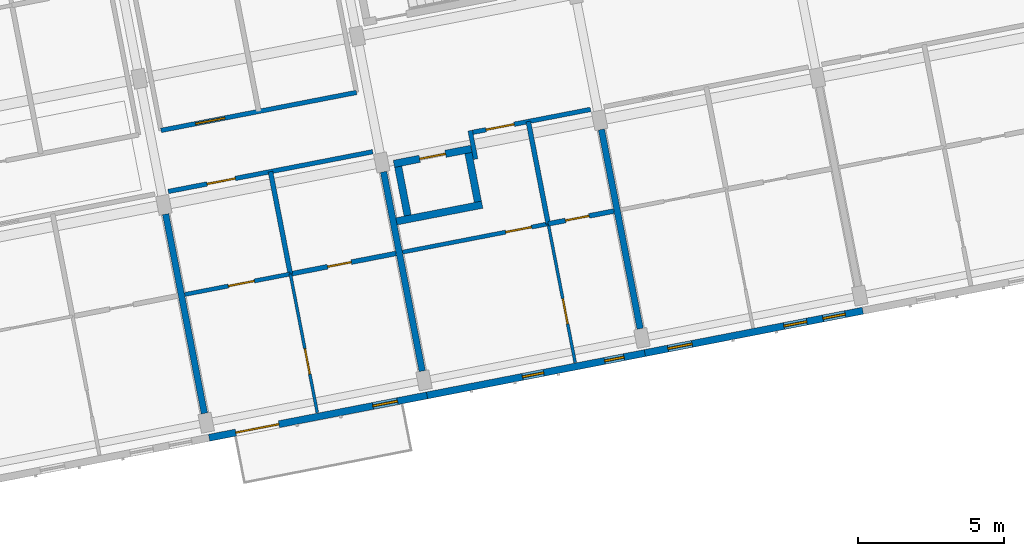
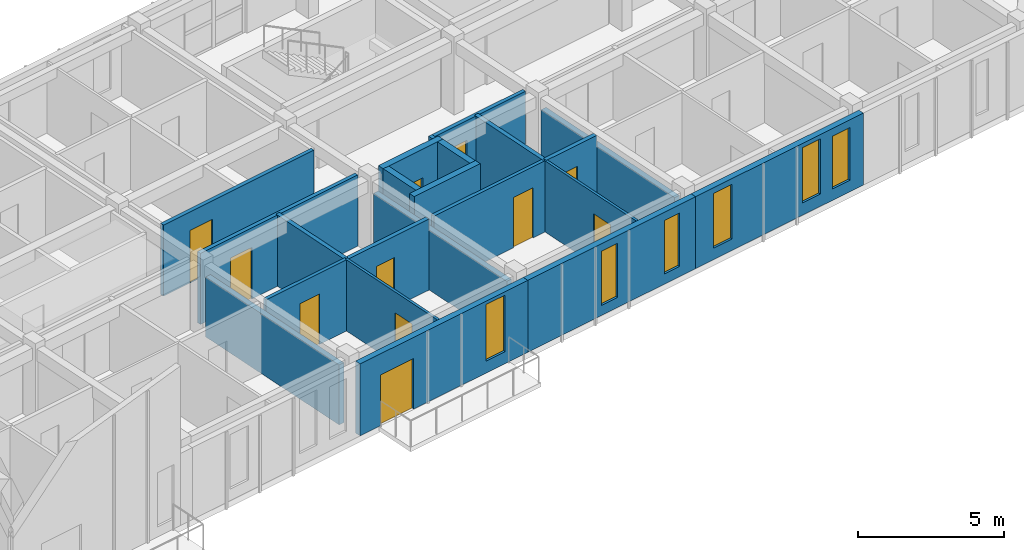
# One storey, part 33 of 65: 22 walls, 11 doors, 6 windows, 17 openings.
"""IFC4 building model written with IfcOpenShell, lengths in metres."""

from ifc_helpers import new_model, si_unit, direction, frame, frame_2d, origin, place, context, subcontext, project, spatial, rectangle, extrude, material, layer, layer_set, type_object, element, fill, save


model = new_model("IFC4")

# Units and contexts
model_context = context("Model", 3, precision=1e-05, world=origin(), true_north=direction((0.0, 1.0)))
body_context = subcontext(model_context, "Body", "Model", "MODEL_VIEW")
ifc_project = project(units=[si_unit("LENGTHUNIT", "METRE"), si_unit("AREAUNIT", "SQUARE_METRE"), si_unit("VOLUMEUNIT", "CUBIC_METRE"), si_unit("PLANEANGLEUNIT", "RADIAN"), si_unit("MASSUNIT", "GRAM", prefix="KILO")], contexts=[model_context])

# Site, building, storey
site_placement = place(None, origin())
site = spatial("IfcSite", under=ifc_project, at=site_placement, CompositionType="ELEMENT")
building_placement = place(site_placement, origin())
building = spatial("IfcBuilding", under=site, at=building_placement, Name="Kestramere Prow Commons", CompositionType="ELEMENT")
storey_placement = place(building_placement, frame((0.0, 0.0, 21.39990234375)))
storey = spatial("IfcBuildingStorey", under=building, at=storey_placement, Name="L06", CompositionType="ELEMENT", Elevation=21.39990234375)

# Wall, openings, door, window
ifc_material_1 = material(Name="Fluoropolymer Standing-Seam Zinc-Aluminium Cladding", Category="aluminium")
ifc_layer_1 = layer(ifc_material_1, 0.239990234375)
ifc_layer_set_1 = layer_set([ifc_layer_1], Name="Fluoropolymer Standing-Seam Zinc-Aluminium Cladding")
wall_type_1 = type_object("IfcWallType", Name="EW-SEAM-240", PredefinedType="SOLIDWALL", material=ifc_layer_set_1)
wall_1_placement = place(storey_placement, frame((140.88134765625, 37.835205078125, 0.0), z_axis=(0.0, 0.0, 1.0), x_axis=(-0.981626422232, -0.190812911449, 0.0)))
wall_1 = element("IfcWall", 1, at=wall_1_placement, inside=storey, type_object=wall_type_1, Name="Block D L06 South Standing-Seam Wall 3", PredefinedType="SOLIDWALL", context=body_context, shape_type="SweptSolid", body=[
    extrude(rectangle(XDim=7.60009765625, YDim=0.239990234375, at=frame_2d((3.800048828125, 0.0))), origin(), (0.0, 0.0, 1.0), 3.0),
])
opening_1_placement = place(wall_1_placement, frame((5.1689453125, 0.0, 0.0)))
opening_1 = element("IfcOpeningElement", 2, at=opening_1_placement, cuts=wall_1, Name="Opening GD-BAL-01", PredefinedType="OPENING", context=body_context, shape_type="SweptSolid", body=[
    extrude(rectangle(XDim=1.5, YDim=2.1201171875, at=frame_2d((0.75, 1.06005859375))), frame((0.0, 0.135009765625, 0.0), z_axis=(0.0, -1.0, 0.0), x_axis=(1.0, 0.0, 0.0)), (0.0, 0.0, 1.0), 0.27001953125),
])
opening_2_placement = place(wall_1_placement, frame((1.030029296875, 0.0, 0.5)))
opening_2 = element("IfcOpeningElement", 3, at=opening_2_placement, cuts=wall_1, Name="Opening WN-15", PredefinedType="OPENING", context=body_context, shape_type="SweptSolid", body=[
    extrude(rectangle(XDim=0.860107421875, YDim=2.360107421875, at=frame_2d((0.43017578125, 1.18017578125))), frame((0.0, 0.135009765625, 0.0), z_axis=(0.0, -1.0, 0.0), x_axis=(1.0, 0.0, 0.0)), (0.0, 0.0, 1.0), 0.27001953125),
])
ifc_material_2 = material(Name="Thermally-Broken Anodised Aluminium Glazed", Category="aluminium")
door_type_1 = type_object("IfcDoorType", Name="GD-BAL-1500", OperationType="SLIDING_TO_RIGHT", PredefinedType="DOOR", material=ifc_material_2)
door_1_placement = place(opening_1_placement, origin())
door_1 = element("IfcDoor", 4, at=door_1_placement, inside=storey, type_object=door_type_1, Name="Block D L06 Balcony Door 3", OperationType="SLIDING_TO_RIGHT", OverallHeight=2.1201171875, OverallWidth=1.5, PredefinedType="DOOR", context=body_context, shape_type="SweptSolid", body=[
    extrude(rectangle(XDim=1.5, YDim=2.1201171875, at=frame_2d((0.75, 1.06005859375))), frame((0.0, 0.02490234375, 0.0), z_axis=(0.0, -1.0, 0.0), x_axis=(1.0, 0.0, 0.0)), (0.0, 0.0, 1.0), 0.050048828125),
])
fill(opening_1, door_1)
ifc_material_3 = material(Name="Low-E Laminated Double Glazing", Category="glass")
window_type_1 = type_object("IfcWindowType", Name="WN-NAR-860A", PartitioningType="DOUBLE_PANEL_VERTICAL", PredefinedType="WINDOW", material=ifc_material_3)
window_1_placement = place(opening_2_placement, origin())
window_1 = element("IfcWindow", 5, at=window_1_placement, inside=storey, type_object=window_type_1, Name="WN-D-L06-SR-2", OverallHeight=2.360107421875, OverallWidth=0.860107421875, PartitioningType="SINGLE_PANEL", PredefinedType="WINDOW", context=body_context, shape_type="SweptSolid", body=[
    extrude(rectangle(XDim=0.860107421875, YDim=2.360107421875, at=frame_2d((0.43017578125, 1.18017578125))), frame((0.0, 0.030029296875, 0.0), z_axis=(0.0, -1.0, 0.0), x_axis=(1.0, 0.0, 0.0)), (0.0, 0.0, 1.0), 0.06005859375),
])
fill(opening_2, window_1)

# Wall, openings, windows
wall_2_placement = place(storey_placement, frame((148.341552734375, 39.28515625, 0.0), z_axis=(0.0, 0.0, 1.0), x_axis=(-0.981631269434, -0.190787973596, 0.0)))
wall_2 = element("IfcWall", 6, at=wall_2_placement, inside=storey, type_object=wall_type_1, Name="Block D L06 South Standing-Seam Wall 4", PredefinedType="SOLIDWALL", context=body_context, shape_type="SweptSolid", body=[
    extrude(rectangle(XDim=7.599853515625, YDim=0.239990234375, at=frame_2d((3.7998046875, 0.0))), origin(), (0.0, 0.0, 1.0), 3.0),
])
opening_3_placement = place(wall_2_placement, frame((0.726318359375, 0.0, 0.419921875)))
opening_3 = element("IfcOpeningElement", 7, at=opening_3_placement, cuts=wall_2, Name="Opening WN-06", PredefinedType="OPENING", context=body_context, shape_type="SweptSolid", body=[
    extrude(rectangle(XDim=0.679931640625, YDim=2.239990234375, at=frame_2d((0.33984375, 1.1201171875))), frame((0.0, 0.135009765625, 0.0), z_axis=(0.0, -1.0, 0.0), x_axis=(1.0, 0.0, 0.0)), (0.0, 0.0, 1.0), 0.27001953125),
])
opening_4_placement = place(wall_2_placement, frame((3.53076171875, 0.0, 0.419921875)))
opening_4 = element("IfcOpeningElement", 8, at=opening_4_placement, cuts=wall_2, Name="Opening WN-09", PredefinedType="OPENING", context=body_context, shape_type="SweptSolid", body=[
    extrude(rectangle(XDim=0.739990234375, YDim=2.260009765625, at=frame_2d((0.3701171875, 1.1298828125))), frame((0.0, 0.135009765625, 0.0), z_axis=(0.0, -1.0, 0.0), x_axis=(1.0, 0.0, 0.0)), (0.0, 0.0, 1.0), 0.27001953125),
])
window_type_2 = type_object("IfcWindowType", Name="WN-NAR-680A", PartitioningType="SINGLE_PANEL", PredefinedType="WINDOW", material=ifc_material_3)
window_2_placement = place(opening_3_placement, origin())
window_2 = element("IfcWindow", 9, at=window_2_placement, inside=storey, type_object=window_type_2, Name="WN-D-L06-S-3-00", OverallHeight=2.239990234375, OverallWidth=0.679931640625, PartitioningType="SINGLE_PANEL", PredefinedType="WINDOW", context=body_context, shape_type="SweptSolid", body=[
    extrude(rectangle(XDim=0.679931640625, YDim=2.239990234375, at=frame_2d((0.33984375, 1.1201171875))), frame((0.0, 0.030029296875, 0.0), z_axis=(0.0, -1.0, 0.0), x_axis=(1.0, 0.0, 0.0)), (0.0, 0.0, 1.0), 0.06005859375),
])
fill(opening_3, window_2)
window_type_3 = type_object("IfcWindowType", Name="WN-NAR-740A", PartitioningType="SINGLE_PANEL", PredefinedType="WINDOW", material=ifc_material_3)
window_3_placement = place(opening_4_placement, origin())
window_3 = element("IfcWindow", 10, at=window_3_placement, inside=storey, type_object=window_type_3, Name="WN-D-L06-S-3-10", OverallHeight=2.260009765625, OverallWidth=0.739990234375, PartitioningType="SINGLE_PANEL", PredefinedType="WINDOW", context=body_context, shape_type="SweptSolid", body=[
    extrude(rectangle(XDim=0.739990234375, YDim=2.260009765625, at=frame_2d((0.3701171875, 1.1298828125))), frame((0.0, 0.030029296875, 0.0), z_axis=(0.0, -1.0, 0.0), x_axis=(1.0, 0.0, 0.0)), (0.0, 0.0, 1.0), 0.06005859375),
])
fill(opening_4, window_3)

wall_3_placement = place(storey_placement, frame((155.802001953125, 40.7353515625, 0.0), z_axis=(0.0, 0.0, 1.0), x_axis=(-0.981626422232, -0.190812911449, 0.0)))
wall_3 = element("IfcWall", 11, at=wall_3_placement, inside=storey, type_object=wall_type_1, Name="Block D L06 South Standing-Seam Wall 5", PredefinedType="SOLIDWALL", context=body_context, shape_type="SweptSolid", body=[
    extrude(rectangle(XDim=7.60009765625, YDim=0.239990234375, at=frame_2d((3.800048828125, 0.0))), origin(), (0.0, 0.0, 1.0), 3.0),
])
opening_5_placement = place(wall_3_placement, frame((0.610107421875, 0.0, 0.47998046875)))
opening_5 = element("IfcOpeningElement", 12, at=opening_5_placement, cuts=wall_3, Name="Opening WN-11", PredefinedType="OPENING", context=body_context, shape_type="SweptSolid", body=[
    extrude(rectangle(XDim=0.780029296875, YDim=2.199951171875, at=frame_2d((0.39013671875, 1.10009765625))), frame((0.0, 0.135009765625, 0.0), z_axis=(0.0, -1.0, 0.0), x_axis=(1.0, 0.0, 0.0)), (0.0, 0.0, 1.0), 0.27001953125),
])
opening_6_placement = place(wall_3_placement, frame((1.951904296875, 0.0, 0.52001953125)))
opening_6 = element("IfcOpeningElement", 13, at=opening_6_placement, cuts=wall_3, Name="Opening WN-12", PredefinedType="OPENING", context=body_context, shape_type="SweptSolid", body=[
    extrude(rectangle(XDim=0.800048828125, YDim=2.300048828125, at=frame_2d((0.39990234375, 1.14990234375))), frame((0.0, 0.135009765625, 0.0), z_axis=(0.0, -1.0, 0.0), x_axis=(1.0, 0.0, 0.0)), (0.0, 0.0, 1.0), 0.27001953125),
])
opening_7_placement = place(wall_3_placement, frame((5.9541015625, 0.0, 0.47998046875)))
opening_7 = element("IfcOpeningElement", 14, at=opening_7_placement, cuts=wall_3, Name="Opening WN-14", PredefinedType="OPENING", context=body_context, shape_type="SweptSolid", body=[
    extrude(rectangle(XDim=0.840087890625, YDim=2.280029296875, at=frame_2d((0.419921875, 1.14013671875))), frame((0.0, 0.135009765625, 0.0), z_axis=(0.0, -1.0, 0.0), x_axis=(1.0, 0.0, 0.0)), (0.0, 0.0, 1.0), 0.27001953125),
])
window_type_4 = type_object("IfcWindowType", Name="WN-NAR-780A", PartitioningType="SINGLE_PANEL", PredefinedType="WINDOW", material=ifc_material_3)
window_4_placement = place(opening_5_placement, origin())
window_4 = element("IfcWindow", 15, at=window_4_placement, inside=storey, type_object=window_type_4, Name="WN-D-L06-S-4-00", OverallHeight=2.199951171875, OverallWidth=0.780029296875, PartitioningType="SINGLE_PANEL", PredefinedType="WINDOW", context=body_context, shape_type="SweptSolid", body=[
    extrude(rectangle(XDim=0.780029296875, YDim=2.199951171875, at=frame_2d((0.39013671875, 1.10009765625))), frame((0.0, 0.030029296875, 0.0), z_axis=(0.0, -1.0, 0.0), x_axis=(1.0, 0.0, 0.0)), (0.0, 0.0, 1.0), 0.06005859375),
])
fill(opening_5, window_4)
window_type_5 = type_object("IfcWindowType", Name="WN-NAR-800A", PartitioningType="SINGLE_PANEL", PredefinedType="WINDOW", material=ifc_material_3)
window_5_placement = place(opening_6_placement, origin())
window_5 = element("IfcWindow", 16, at=window_5_placement, inside=storey, type_object=window_type_5, Name="WN-D-L06-S-4-01", OverallHeight=2.300048828125, OverallWidth=0.800048828125, PartitioningType="SINGLE_PANEL", PredefinedType="WINDOW", context=body_context, shape_type="SweptSolid", body=[
    extrude(rectangle(XDim=0.800048828125, YDim=2.300048828125, at=frame_2d((0.39990234375, 1.14990234375))), frame((0.0, 0.030029296875, 0.0), z_axis=(0.0, -1.0, 0.0), x_axis=(1.0, 0.0, 0.0)), (0.0, 0.0, 1.0), 0.06005859375),
])
fill(opening_6, window_5)
window_type_6 = type_object("IfcWindowType", Name="WN-NAR-840A", PartitioningType="DOUBLE_PANEL_VERTICAL", PredefinedType="WINDOW", material=ifc_material_3)
window_6_placement = place(opening_7_placement, origin())
window_6 = element("IfcWindow", 17, at=window_6_placement, inside=storey, type_object=window_type_6, Name="WN-D-L06-S-4-10", OverallHeight=2.280029296875, OverallWidth=0.840087890625, PartitioningType="SINGLE_PANEL", PredefinedType="WINDOW", context=body_context, shape_type="SweptSolid", body=[
    extrude(rectangle(XDim=0.840087890625, YDim=2.280029296875, at=frame_2d((0.419921875, 1.14013671875))), frame((0.0, 0.030029296875, 0.0), z_axis=(0.0, -1.0, 0.0), x_axis=(1.0, 0.0, 0.0)), (0.0, 0.0, 1.0), 0.06005859375),
])
fill(opening_7, window_6)

# Wall, opening, door
ifc_material_4 = material(Name="Fire-Rated Calcium Silicate Wall")
ifc_layer_2 = layer(ifc_material_4, 0.155029296875)
ifc_layer_set_2 = layer_set([ifc_layer_2], Name="Fire-Rated Calcium Silicate Wall")
wall_type_2 = type_object("IfcWallType", Name="W-FIRE-150", PredefinedType="PARTITIONING", material=ifc_layer_set_2)
wall_4_placement = place(storey_placement, frame((132.021240234375, 44.81787109375, 0.0), z_axis=(0.0, 0.0, 1.0), x_axis=(0.981629109582, 0.190799086008, 0.0)))
wall_4 = element("IfcWall", 18, at=wall_4_placement, inside=storey, type_object=wall_type_2, Name="Interior Partition PW-D-L06-CS-2", PredefinedType="PARTITIONING", context=body_context, shape_type="SweptSolid", body=[
    extrude(rectangle(XDim=7.129638671875, YDim=0.155029296875, at=frame_2d((3.56494140625, 0.0))), origin(), (0.0, 0.0, 1.0), 2.97021484375),
])
opening_8_placement = place(wall_4_placement, frame((1.35498046875, 0.0, 0.0)))
opening_8 = element("IfcOpeningElement", 19, at=opening_8_placement, cuts=wall_4, Name="Opening ID-04", PredefinedType="OPENING", context=body_context, shape_type="SweptSolid", body=[
    extrude(rectangle(XDim=0.97998046875, YDim=2.14990234375, at=frame_2d((0.489990234375, 1.074951171875))), frame((0.0, 0.092529296875, 0.0), z_axis=(0.0, -1.0, 0.0), x_axis=(1.0, 0.0, 0.0)), (0.0, 0.0, 1.0), 0.18505859375),
])
ifc_material_5 = material(Name="Hardwood Fire-Rated Flat Entrance Door", Category="wood")
door_type_2 = type_object("IfcDoorType", Name="FD-ENT-01", OperationType="NOTDEFINED", PredefinedType="DOOR", material=ifc_material_5)
door_2_placement = place(opening_8_placement, origin())
door_2 = element("IfcDoor", 20, at=door_2_placement, inside=storey, type_object=door_type_2, Name="Interior Door DR-D-L06-ENT-S2", OperationType="SINGLE_SWING_LEFT", OverallHeight=2.14990234375, OverallWidth=0.97998046875, PredefinedType="DOOR", context=body_context, shape_type="SweptSolid", body=[
    extrude(rectangle(XDim=0.97998046875, YDim=2.14990234375, at=frame_2d((0.489990234375, 1.074951171875))), frame((0.0, 0.02490234375, 0.0), z_axis=(0.0, -1.0, 0.0), x_axis=(1.0, 0.0, 0.0)), (0.0, 0.0, 1.0), 0.050048828125),
])
fill(opening_8, door_2)

# Wall
wall_5_placement = place(storey_placement, frame((142.5478515625, 45.9267578125, 0.0), z_axis=(0.0, 0.0, 1.0), x_axis=(-0.190639805817, 0.981660055436, 0.0)))
element("IfcWall", 21, at=wall_5_placement, inside=storey, type_object=wall_type_2, Name="Interior Partition PW-D-L06-HS-CLOSER", PredefinedType="PARTITIONING", context=body_context, shape_type="SweptSolid", body=[
    extrude(rectangle(XDim=0.9951171875, YDim=0.155029296875, at=frame_2d((0.49755859375, 0.0))), origin(), (0.0, 0.0, 1.0), 2.97021484375),
])

# Wall, opening, door
wall_6_placement = place(storey_placement, frame((142.450927734375, 46.84521484375, 0.0), z_axis=(0.0, 0.0, 1.0), x_axis=(0.981629934904, 0.190794839817, 0.0)))
wall_6 = element("IfcWall", 22, at=wall_6_placement, inside=storey, type_object=wall_type_2, Name="Interior Partition PW-D-L06-CS-3", PredefinedType="PARTITIONING", context=body_context, shape_type="SweptSolid", body=[
    extrude(rectangle(XDim=4.10498046875, YDim=0.155029296875, at=frame_2d((2.052490234375, 0.0))), origin(), (0.0, 0.0, 1.0), 2.97021484375),
])
opening_9_placement = place(wall_6_placement, frame((0.4580078125, 0.0, 0.0)))
opening_9 = element("IfcOpeningElement", 23, at=opening_9_placement, cuts=wall_6, Name="Opening ID-04", PredefinedType="OPENING", context=body_context, shape_type="SweptSolid", body=[
    extrude(rectangle(XDim=0.97998046875, YDim=2.14990234375, at=frame_2d((0.489990234375, 1.074951171875))), frame((0.0, 0.092529296875, 0.0), z_axis=(0.0, -1.0, 0.0), x_axis=(1.0, 0.0, 0.0)), (0.0, 0.0, 1.0), 0.18505859375),
])
door_3_placement = place(opening_9_placement, origin())
door_3 = element("IfcDoor", 24, at=door_3_placement, inside=storey, type_object=door_type_2, Name="Interior Door DR-D-L06-ENT-S3", OperationType="SINGLE_SWING_RIGHT", OverallHeight=2.14990234375, OverallWidth=0.97998046875, PredefinedType="DOOR", context=body_context, shape_type="SweptSolid", body=[
    extrude(rectangle(XDim=0.97998046875, YDim=2.14990234375, at=frame_2d((0.489990234375, 1.074951171875))), frame((0.0, 0.02490234375, 0.0), z_axis=(0.0, -1.0, 0.0), x_axis=(1.0, 0.0, 0.0)), (0.0, 0.0, 1.0), 0.050048828125),
])
fill(opening_9, door_3)

wall_7_placement = place(storey_placement, frame((131.7724609375, 46.90869140625, 0.0), z_axis=(0.0, 0.0, 1.0), x_axis=(0.981622468528, 0.190833249935, 0.0)))
wall_7 = element("IfcWall", 25, at=wall_7_placement, inside=storey, type_object=wall_type_2, Name="Interior Partition PW-D-L06-CN-2", PredefinedType="PARTITIONING", context=body_context, shape_type="SweptSolid", body=[
    extrude(rectangle(XDim=6.820068359375, YDim=0.155029296875, at=frame_2d((3.41015625, 0.0))), origin(), (0.0, 0.0, 1.0), 2.97021484375),
])
opening_10_placement = place(wall_7_placement, frame((1.205078125, 0.0, 0.0)))
opening_10 = element("IfcOpeningElement", 26, at=opening_10_placement, cuts=wall_7, Name="Opening ID-05", PredefinedType="OPENING", context=body_context, shape_type="SweptSolid", body=[
    extrude(rectangle(XDim=1.02001953125, YDim=2.199951171875, at=frame_2d((0.510009765625, 1.10009765625))), frame((0.0, 0.092529296875, 0.0), z_axis=(0.0, -1.0, 0.0), x_axis=(1.0, 0.0, 0.0)), (0.0, 0.0, 1.0), 0.18505859375),
])
door_type_3 = type_object("IfcDoorType", Name="FD-ENT-02", OperationType="NOTDEFINED", PredefinedType="DOOR", material=ifc_material_5)
door_4_placement = place(opening_10_placement, origin())
door_4 = element("IfcDoor", 27, at=door_4_placement, inside=storey, type_object=door_type_3, Name="Interior Door DR-D-L06-ENT-N2", OperationType="SINGLE_SWING_RIGHT", OverallHeight=2.199951171875, OverallWidth=1.02001953125, PredefinedType="DOOR", context=body_context, shape_type="SweptSolid", body=[
    extrude(rectangle(XDim=1.02001953125, YDim=2.199951171875, at=frame_2d((0.510009765625, 1.10009765625))), frame((0.0, 0.02490234375, 0.0), z_axis=(0.0, -1.0, 0.0), x_axis=(1.0, 0.0, 0.0)), (0.0, 0.0, 1.0), 0.050048828125),
])
fill(opening_10, door_4)

# Wall
ifc_material_6 = material(Name="Concrete C40/50", Category="concrete")
ifc_layer_3 = layer(ifc_material_6, 0.25)
ifc_layer_set_3 = layer_set([ifc_layer_3], Name="Concrete C40/50")
wall_type_3 = type_object("IfcWallType", Name="W-HS-250", PredefinedType="SHEAR", material=ifc_layer_set_3)
wall_8_placement = place(storey_placement, frame((139.8349609375, 43.794921875, 0.0), z_axis=(0.0, 0.0, 1.0), x_axis=(0.981624737535, 0.190821578075, 0.0)))
element("IfcWall", 28, at=wall_8_placement, inside=storey, type_object=wall_type_3, Name="Block D L06 Household Shelter South Wall", PredefinedType="SHEAR", context=body_context, shape_type="SweptSolid", body=[
    extrude(rectangle(XDim=2.989990234375, YDim=0.25, at=frame_2d((1.4951171875, 0.0))), origin(), (0.0, 0.0, 1.0), 3.25),
])

# Wall, opening, door
wall_9_placement = place(storey_placement, frame((139.74755859375, 45.764404296875, 0.0), z_axis=(0.0, 0.0, 1.0), x_axis=(0.981630445883, 0.190792210834, 0.0)))
wall_9 = element("IfcWall", 29, at=wall_9_placement, inside=storey, type_object=wall_type_3, Name="Block D L06 Household Shelter North Wall", PredefinedType="SHEAR", context=body_context, shape_type="SweptSolid", body=[
    extrude(rectangle(XDim=2.699951171875, YDim=0.25, at=frame_2d((1.35009765625, 0.0))), origin(), (0.0, 0.0, 1.0), 3.25),
])
opening_11_placement = place(wall_9_placement, frame((0.89990234375, 0.0, 0.0)))
opening_11 = element("IfcOpeningElement", 30, at=opening_11_placement, cuts=wall_9, Name="Opening ID-06", PredefinedType="OPENING", context=body_context, shape_type="SweptSolid", body=[
    extrude(rectangle(XDim=0.89990234375, YDim=2.050048828125, at=frame_2d((0.449951171875, 1.02490234375))), frame((0.0, 0.139892578125, 0.0), z_axis=(0.0, -1.0, 0.0), x_axis=(1.0, 0.0, 0.0)), (0.0, 0.0, 1.0), 0.280029296875),
])
ifc_material_7 = material(Name="Galvanised Steel S275JR Household Shelter Door", Category="steel")
door_type_4 = type_object("IfcDoorType", Name="FD-HS-01", OperationType="NOTDEFINED", PredefinedType="DOOR", material=ifc_material_7)
door_5_placement = place(opening_11_placement, origin())
door_5 = element("IfcDoor", 31, at=door_5_placement, inside=storey, type_object=door_type_4, Name="Block D L06 Household Shelter Blast Door", OperationType="SINGLE_SWING_RIGHT", OverallHeight=2.050048828125, OverallWidth=0.89990234375, PredefinedType="DOOR", context=body_context, shape_type="SweptSolid", body=[
    extrude(rectangle(XDim=0.89990234375, YDim=2.050048828125, at=frame_2d((0.449951171875, 1.02490234375))), frame((0.0, 0.02490234375, 0.0), z_axis=(0.0, -1.0, 0.0), x_axis=(1.0, 0.0, 0.0)), (0.0, 0.0, 1.0), 0.050048828125),
])
fill(opening_11, door_5)

# Walls
for number, where, z_axis, x_axis, name in (
    (32, (140.21826171875, 43.996826171875, 0.0), (0.0, 0.0, 1.0), (-0.190727425199, 0.981643035567, 0.0), "Block D L06 Household Shelter W Wall"),
    (33, (142.623291015625, 44.46435546875, 0.0), (0.0, 0.0, 1.0), (-0.190727425199, 0.981643035567, 0.0), "Block D L06 Household Shelter E Wall"),
):
    element("IfcWall", number, at=place(storey_placement, frame(where, z_axis=z_axis, x_axis=x_axis)), inside=storey, type_object=wall_type_3, Name=name, PredefinedType="SHEAR", context=body_context, shape_type="SweptSolid", body=[
        extrude(rectangle(XDim=1.699951171875, YDim=0.25, at=frame_2d((0.85009765625, 0.0))), origin(), (0.0, 0.0, 1.0), 3.25),
    ])

# Wall, opening, door
ifc_material_8 = material(Name="Gypsum Acoustic Drywall")
ifc_layer_4 = layer(ifc_material_8, 0.10009765625)
ifc_layer_set_4 = layer_set([ifc_layer_4], Name="Gypsum Acoustic Drywall")
wall_type_4 = type_object("IfcWallType", Name="W-PART-100", PredefinedType="PARTITIONING", material=ifc_layer_set_4)
wall_10_placement = place(storey_placement, frame((137.125244140625, 37.242431640625, 0.0), z_axis=(0.0, 0.0, 1.0), x_axis=(-0.190768400775, 0.981635073368, 0.0)))
wall_10 = element("IfcWall", 34, at=wall_10_placement, inside=storey, type_object=wall_type_4, Name="Interior Partition PW-D-L06-LB-S2", PredefinedType="PARTITIONING", context=body_context, shape_type="SweptSolid", body=[
    extrude(rectangle(XDim=4.840087890625, YDim=0.10009765625, at=frame_2d((2.419921875, 0.0))), origin(), (0.0, 0.0, 1.0), 2.97021484375),
])
opening_12_placement = place(wall_10_placement, frame((1.35009765625, 0.0, 0.0)))
opening_12 = element("IfcOpeningElement", 35, at=opening_12_placement, cuts=wall_10, Name="Opening ID-10", PredefinedType="OPENING", context=body_context, shape_type="SweptSolid", body=[
    extrude(rectangle(XDim=0.8798828125, YDim=2.10009765625, at=frame_2d((0.43994140625, 1.050048828125))), frame((0.0, 0.06494140625, 0.0), z_axis=(0.0, -1.0, 0.0), x_axis=(1.0, 0.0, 0.0)), (0.0, 0.0, 1.0), 0.130126953125),
])
ifc_material_9 = material(Name="Engineered Timber Bedroom Door", Category="wood")
door_type_5 = type_object("IfcDoorType", Name="D-RM-03", OperationType="NOTDEFINED", PredefinedType="DOOR", material=ifc_material_9)
door_6_placement = place(opening_12_placement, origin())
door_6 = element("IfcDoor", 36, at=door_6_placement, inside=storey, type_object=door_type_5, Name="Interior Door DR-D-L06-BED-S2", OperationType="SINGLE_SWING_LEFT", OverallHeight=2.10009765625, OverallWidth=0.8798828125, PredefinedType="DOOR", context=body_context, shape_type="SweptSolid", body=[
    extrude(rectangle(XDim=0.8798828125, YDim=2.10009765625, at=frame_2d((0.43994140625, 1.050048828125))), frame((0.0, 0.02490234375, 0.0), z_axis=(0.0, -1.0, 0.0), x_axis=(1.0, 0.0, 0.0)), (0.0, 0.0, 1.0), 0.050048828125),
])
fill(opening_12, door_6)

wall_11_placement = place(storey_placement, frame((145.955078125, 38.958984375, 0.0), z_axis=(0.0, 0.0, 1.0), x_axis=(-0.190826454074, 0.98162378966, 0.0)))
wall_11 = element("IfcWall", 37, at=wall_11_placement, inside=storey, type_object=wall_type_4, Name="Interior Partition PW-D-L06-LB-S3", PredefinedType="PARTITIONING", context=body_context, shape_type="SweptSolid", body=[
    extrude(rectangle(XDim=4.83984375, YDim=0.10009765625, at=frame_2d((2.419921875, 0.0))), origin(), (0.0, 0.0, 1.0), 2.97021484375),
])
opening_13_placement = place(wall_11_placement, frame((1.35009765625, 0.0, 0.0)))
opening_13 = element("IfcOpeningElement", 38, at=opening_13_placement, cuts=wall_11, Name="Opening ID-10", PredefinedType="OPENING", context=body_context, shape_type="SweptSolid", body=[
    extrude(rectangle(XDim=0.8798828125, YDim=2.10009765625, at=frame_2d((0.43994140625, 1.050048828125))), frame((0.0, 0.06494140625, 0.0), z_axis=(0.0, -1.0, 0.0), x_axis=(1.0, 0.0, 0.0)), (0.0, 0.0, 1.0), 0.130126953125),
])
door_7_placement = place(opening_13_placement, origin())
door_7 = element("IfcDoor", 39, at=door_7_placement, inside=storey, type_object=door_type_5, Name="Interior Door DR-D-L06-BED-S3", OperationType="SINGLE_SWING_RIGHT", OverallHeight=2.10009765625, OverallWidth=0.8798828125, PredefinedType="DOOR", context=body_context, shape_type="SweptSolid", body=[
    extrude(rectangle(XDim=0.8798828125, YDim=2.10009765625, at=frame_2d((0.43994140625, 1.050048828125))), frame((0.0, 0.02490234375, 0.0), z_axis=(0.0, -1.0, 0.0), x_axis=(1.0, 0.0, 0.0)), (0.0, 0.0, 1.0), 0.050048828125),
])
fill(opening_13, door_7)

ifc_material_10 = material(Name="Masonry Compartment Wall", Category="masonry")
ifc_layer_5 = layer(ifc_material_10, 0.139892578125)
ifc_layer_set_5 = layer_set([ifc_layer_5], Name="Masonry Compartment Wall")
wall_type_5 = type_object("IfcWallType", Name="W-PART-140", PredefinedType="PARTITIONING", material=ifc_layer_set_5)
wall_12_placement = place(storey_placement, frame((132.58447265625, 41.29052734375, 0.0), z_axis=(0.0, 0.0, 1.0), x_axis=(0.981628834294, 0.190800502313, 0.0)))
wall_12 = element("IfcWall", 40, at=wall_12_placement, inside=storey, type_object=wall_type_5, Name="Interior Partition PW-D-L06-MIDS1-2", PredefinedType="PARTITIONING", context=body_context, shape_type="SweptSolid", body=[
    extrude(rectangle(XDim=3.68505859375, YDim=0.139892578125, at=frame_2d((1.842529296875, 0.0))), origin(), (0.0, 0.0, 1.0), 2.97021484375),
])
opening_14_placement = place(wall_12_placement, frame((1.52490234375, 0.0, 0.0)))
opening_14 = element("IfcOpeningElement", 41, at=opening_14_placement, cuts=wall_12, Name="Opening ID-08", PredefinedType="OPENING", context=body_context, shape_type="SweptSolid", body=[
    extrude(rectangle(XDim=0.89990234375, YDim=2.10009765625, at=frame_2d((0.449951171875, 1.050048828125))), frame((0.0, 0.0849609375, 0.0), z_axis=(0.0, -1.0, 0.0), x_axis=(1.0, 0.0, 0.0)), (0.0, 0.0, 1.0), 0.169921875),
])
ifc_material_11 = material(Name="Engineered Timber Flush Door", Category="wood")
door_type_6 = type_object("IfcDoorType", Name="D-RM-01", OperationType="NOTDEFINED", PredefinedType="DOOR", material=ifc_material_11)
door_8_placement = place(opening_14_placement, origin())
door_8 = element("IfcDoor", 42, at=door_8_placement, inside=storey, type_object=door_type_6, Name="Interior Door DR-D-L06-KL-S2", OperationType="SINGLE_SWING_RIGHT", OverallHeight=2.10009765625, OverallWidth=0.89990234375, PredefinedType="DOOR", context=body_context, shape_type="SweptSolid", body=[
    extrude(rectangle(XDim=0.89990234375, YDim=2.10009765625, at=frame_2d((0.449951171875, 1.050048828125))), frame((0.0, 0.02490234375, 0.0), z_axis=(0.0, -1.0, 0.0), x_axis=(1.0, 0.0, 0.0)), (0.0, 0.0, 1.0), 0.050048828125),
])
fill(opening_14, door_8)

wall_13_placement = place(storey_placement, frame((140.044921875, 42.74072265625, 0.0), z_axis=(0.0, 0.0, 1.0), x_axis=(0.981629144122, 0.190798908307, 0.0)))
wall_13 = element("IfcWall", 43, at=wall_13_placement, inside=storey, type_object=wall_type_5, Name="Interior Partition PW-D-L06-MIDS1-3", PredefinedType="PARTITIONING", context=body_context, shape_type="SweptSolid", body=[
    extrude(rectangle(XDim=5.079833984375, YDim=0.139892578125, at=frame_2d((2.5400390625, 0.0))), origin(), (0.0, 0.0, 1.0), 2.97021484375),
])
opening_15_placement = place(wall_13_placement, frame((3.594970703125, 0.0, 0.0)))
opening_15 = element("IfcOpeningElement", 44, at=opening_15_placement, cuts=wall_13, Name="Opening ID-08", PredefinedType="OPENING", context=body_context, shape_type="SweptSolid", body=[
    extrude(rectangle(XDim=0.89990234375, YDim=2.10009765625, at=frame_2d((0.449951171875, 1.050048828125))), frame((0.0, 0.0849609375, 0.0), z_axis=(0.0, -1.0, 0.0), x_axis=(1.0, 0.0, 0.0)), (0.0, 0.0, 1.0), 0.169921875),
])
door_9_placement = place(opening_15_placement, origin())
door_9 = element("IfcDoor", 45, at=door_9_placement, inside=storey, type_object=door_type_6, Name="Interior Door DR-D-L06-KL-S3", OperationType="SINGLE_SWING_RIGHT", OverallHeight=2.10009765625, OverallWidth=0.89990234375, PredefinedType="DOOR", context=body_context, shape_type="SweptSolid", body=[
    extrude(rectangle(XDim=0.89990234375, YDim=2.10009765625, at=frame_2d((0.449951171875, 1.050048828125))), frame((0.0, 0.02490234375, 0.0), z_axis=(0.0, -1.0, 0.0), x_axis=(1.0, 0.0, 0.0)), (0.0, 0.0, 1.0), 0.050048828125),
])
fill(opening_15, door_9)

ifc_material_12 = material(Name="Waterproof Sanitary Masonry Wall", Category="masonry")
ifc_layer_6 = layer(ifc_material_12, 0.1650390625)
ifc_layer_set_6 = layer_set([ifc_layer_6], Name="Waterproof Sanitary Masonry Wall")
wall_type_6 = type_object("IfcWallType", Name="W-PLUMB-150", PredefinedType="PLUMBINGWALL", material=ifc_layer_set_6)
wall_14_placement = place(storey_placement, frame((136.201904296875, 41.99365234375, 0.0), z_axis=(0.0, 0.0, 1.0), x_axis=(0.981626422232, 0.190812911449, 0.0)))
wall_14 = element("IfcWall", 46, at=wall_14_placement, inside=storey, type_object=wall_type_6, Name="Interior Partition PW-D-L06-MIDS2-2", PredefinedType="PLUMBINGWALL", context=body_context, shape_type="SweptSolid", body=[
    extrude(rectangle(XDim=3.684814453125, YDim=0.1650390625, at=frame_2d((1.84228515625, 0.0))), origin(), (0.0, 0.0, 1.0), 2.97021484375),
])
opening_16_placement = place(wall_14_placement, frame((1.300048828125, 0.0, 0.0)))
opening_16 = element("IfcOpeningElement", 47, at=opening_16_placement, cuts=wall_14, Name="Opening ID-11", PredefinedType="OPENING", context=body_context, shape_type="SweptSolid", body=[
    extrude(rectangle(XDim=0.820068359375, YDim=2.080078125, at=frame_2d((0.41015625, 1.0400390625))), frame((0.0, 0.097412109375, 0.0), z_axis=(0.0, -1.0, 0.0), x_axis=(1.0, 0.0, 0.0)), (0.0, 0.0, 1.0), 0.195068359375),
])
ifc_material_13 = material(Name="Moisture-Resistant Timber Bathroom Door", Category="wood")
door_type_7 = type_object("IfcDoorType", Name="D-BT-01", OperationType="NOTDEFINED", PredefinedType="DOOR", material=ifc_material_13)
door_10_placement = place(opening_16_placement, origin())
door_10 = element("IfcDoor", 48, at=door_10_placement, inside=storey, type_object=door_type_7, Name="Interior Door DR-D-L06-BTH-S2", OperationType="SINGLE_SWING_LEFT", OverallHeight=2.080078125, OverallWidth=0.820068359375, PredefinedType="DOOR", context=body_context, shape_type="SweptSolid", body=[
    extrude(rectangle(XDim=0.820068359375, YDim=2.080078125, at=frame_2d((0.41015625, 1.0400390625))), frame((0.0, 0.02490234375, 0.0), z_axis=(0.0, -1.0, 0.0), x_axis=(1.0, 0.0, 0.0)), (0.0, 0.0, 1.0), 0.050048828125),
])
fill(opening_16, door_10)

# Wall
wall_15_placement = place(storey_placement, frame((136.201904296875, 41.99365234375, 0.0), z_axis=(0.0, 0.0, 1.0), x_axis=(-0.190865998276, 0.981616101489, 0.0)))
element("IfcWall", 49, at=wall_15_placement, inside=storey, type_object=wall_type_6, Name="Interior Partition PW-D-L06-KB-S2", PredefinedType="PLUMBINGWALL", context=body_context, shape_type="SweptSolid", body=[
    extrude(rectangle(XDim=3.570068359375, YDim=0.1650390625, at=frame_2d((1.78515625, 0.0))), origin(), (0.0, 0.0, 1.0), 2.97021484375),
])

# Wall, opening, door
wall_16_placement = place(storey_placement, frame((145.031494140625, 43.7099609375, 0.0), z_axis=(0.0, 0.0, 1.0), x_axis=(0.981624265801, 0.190824004755, 0.0)))
wall_16 = element("IfcWall", 50, at=wall_16_placement, inside=storey, type_object=wall_type_6, Name="Interior Partition PW-D-L06-MIDS2-3", PredefinedType="PLUMBINGWALL", context=body_context, shape_type="SweptSolid", body=[
    extrude(rectangle(XDim=2.2900390625, YDim=0.1650390625, at=frame_2d((1.14501953125, 0.0))), origin(), (0.0, 0.0, 1.0), 2.97021484375),
])
opening_17_placement = place(wall_16_placement, frame((0.60205078125, 0.0, 0.0)))
opening_17 = element("IfcOpeningElement", 51, at=opening_17_placement, cuts=wall_16, Name="Opening ID-11", PredefinedType="OPENING", context=body_context, shape_type="SweptSolid", body=[
    extrude(rectangle(XDim=0.820068359375, YDim=2.080078125, at=frame_2d((0.41015625, 1.0400390625))), frame((0.0, 0.097412109375, 0.0), z_axis=(0.0, -1.0, 0.0), x_axis=(1.0, 0.0, 0.0)), (0.0, 0.0, 1.0), 0.195068359375),
])
door_11_placement = place(opening_17_placement, origin())
door_11 = element("IfcDoor", 52, at=door_11_placement, inside=storey, type_object=door_type_7, Name="Interior Door DR-D-L06-BTH-S3", OperationType="SINGLE_SWING_LEFT", OverallHeight=2.080078125, OverallWidth=0.820068359375, PredefinedType="DOOR", context=body_context, shape_type="SweptSolid", body=[
    extrude(rectangle(XDim=0.820068359375, YDim=2.080078125, at=frame_2d((0.41015625, 1.0400390625))), frame((0.0, 0.02490234375, 0.0), z_axis=(0.0, -1.0, 0.0), x_axis=(1.0, 0.0, 0.0)), (0.0, 0.0, 1.0), 0.050048828125),
])
fill(opening_17, door_11)

# Walls
wall_17_placement = place(storey_placement, frame((145.031494140625, 43.7099609375, 0.0), z_axis=(0.0, 0.0, 1.0), x_axis=(-0.190800102044, 0.981628912095, 0.0)))
element("IfcWall", 53, at=wall_17_placement, inside=storey, type_object=wall_type_6, Name="Interior Partition PW-D-L06-KB-S3", PredefinedType="PLUMBINGWALL", context=body_context, shape_type="SweptSolid", body=[
    extrude(rectangle(XDim=3.570068359375, YDim=0.1650390625, at=frame_2d((1.78515625, 0.0))), origin(), (0.0, 0.0, 1.0), 2.97021484375),
])
ifc_material_14 = material(Name="Precast concrete C40/50", Category="concrete")
ifc_layer_7 = layer(ifc_material_14, 0.219970703125)
ifc_layer_set_7 = layer_set([ifc_layer_7], Name="Precast concrete C40/50")
wall_type_7 = type_object("IfcWallType", Name="W-XWALL-220", PredefinedType="SHEAR", material=ifc_layer_set_7)
wall_18_placement = place(storey_placement, frame((133.2587890625, 37.21923828125, 0.0), z_axis=(0.0, 0.0, 1.0), x_axis=(-0.19081042584, 0.981626905393, 0.0)))
element("IfcWall", 54, at=wall_18_placement, inside=storey, type_object=wall_type_7, Name="Block D L06 Precast Cross-Wall 2", PredefinedType="SHEAR", context=body_context, shape_type="SweptSolid", body=[
    extrude(rectangle(XDim=6.9501953125, YDim=0.219970703125, at=frame_2d((3.47509765625, 0.0))), origin(), (0.0, 0.0, 1.0), 2.5),
])
for number, where, z_axis, x_axis, name in (
    (55, (140.718994140625, 38.66943359375, 0.0), (0.0, 0.0, 1.0), (-0.190783155939, 0.981632205773, 0.0), "Block D L06 Precast Cross-Wall 3"),
    (56, (148.179443359375, 40.11962890625, 0.0), (0.0, 0.0, 1.0), (-0.190817005532, 0.981625626397, 0.0), "Block D L06 Precast Cross-Wall 4"),
):
    element("IfcWall", number, at=place(storey_placement, frame(where, z_axis=z_axis, x_axis=x_axis)), inside=storey, type_object=wall_type_7, Name=name, PredefinedType="SHEAR", context=body_context, shape_type="SweptSolid", body=[
        extrude(rectangle(XDim=6.949951171875, YDim=0.219970703125, at=frame_2d((3.47509765625, 0.0))), origin(), (0.0, 0.0, 1.0), 2.5),
    ])

save(model, "model.ifc")
